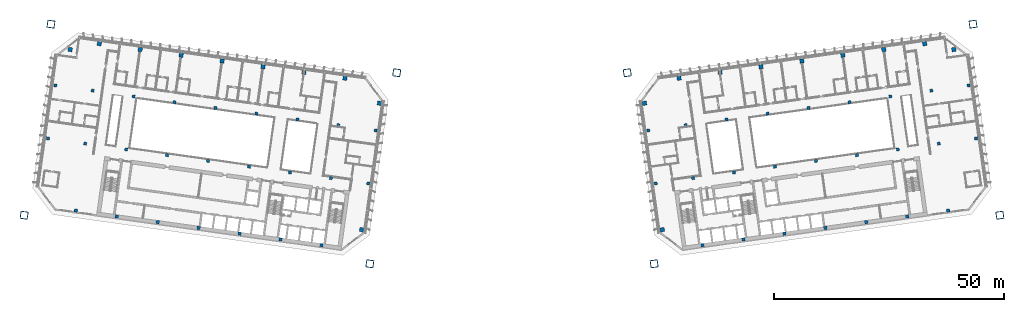
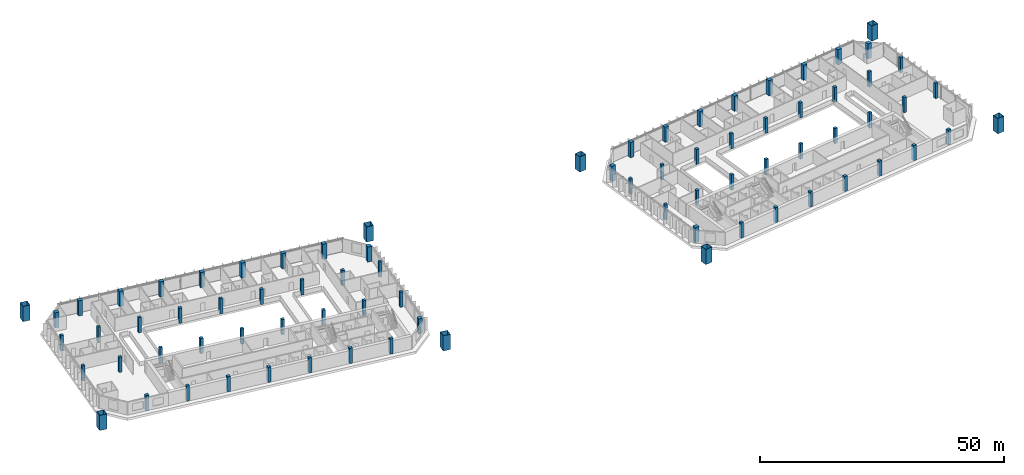
# One storey, part 1 of 24: 78 columns.
"""IFC4 building model written with IfcOpenShell, lengths in metres."""

import ifcopenshell
import ifcopenshell.guid

model = None  # the IFC model being written
_history = None  # IfcOwnerHistory: only IFC2X3 demands one
_inside = {}  # id of a spatial element -> (the spatial element, [elements in it])
_under = {}  # id of a project, library or spatial element -> (it, [spatial elements below it])
_declared = {}  # id of a project -> (the project, [libraries it declares])
_typed = {}  # id of a type object -> (the type object, [elements of that type])
_made_of = {}  # id of a material, layer set ... -> (it, [elements and type objects made of it])


def new_model(schema):
    """Start an empty IFC model of exactly this schema.

    Asked for "IFC4X3", IfcOpenShell would pick the latest addendum, in which some entities
    have other attributes; the version numbers below select the first issue.
    IFC2X3 requires an IfcOwnerHistory on every rooted entity: one is made here for all.
    """
    global model, _history
    if schema == "IFC4X3":
        model = ifcopenshell.file(schema_version=(4, 3, 0, 0))
    else:
        model = ifcopenshell.file(schema=schema)
    _inside.clear()
    _under.clear()
    _declared.clear()
    _typed.clear()
    _made_of.clear()
    _history = None
    if model.schema == "IFC2X3":
        org = make("IfcOrganization", Name="unknown")
        user = make(
            "IfcPersonAndOrganization",
            ThePerson=make("IfcPerson", FamilyName="unknown"),
            TheOrganization=org,
        )
        app = make(
            "IfcApplication",
            ApplicationDeveloper=org,
            Version="unknown",
            ApplicationFullName="unknown",
            ApplicationIdentifier="unknown",
        )
        _history = make(
            "IfcOwnerHistory",
            OwningUser=user,
            OwningApplication=app,
            ChangeAction="ADDED",
            CreationDate=0,
        )
    return model


def make(cls, **values):
    """One entity of the class cls with the attributes given. An attribute that is None is left unset."""
    return model.create_entity(
        cls, **{name: value for name, value in values.items() if value is not None}
    )


def rooted(cls, **values):
    """An entity with a GlobalId (a new one), such as an element, a storey or a relation."""
    return make(cls, GlobalId=ifcopenshell.guid.new(), OwnerHistory=_history, **values)


def si_unit(unit_type, name, prefix=None):
    """IfcSIUnit, for example si_unit("LENGTHUNIT", "METRE", prefix="MILLI")."""
    return make("IfcSIUnit", UnitType=unit_type, Prefix=prefix, Name=name)


def assignment(units):
    """IfcUnitAssignment: the units of a project."""
    return None if units is None else make("IfcUnitAssignment", Units=units)


def point(xyz):
    """IfcCartesianPoint."""
    return None if xyz is None else make("IfcCartesianPoint", Coordinates=xyz)


def direction(xyz):
    """IfcDirection."""
    return None if xyz is None else make("IfcDirection", DirectionRatios=xyz)


def frame(location, z_axis=None, x_axis=None):
    """IfcAxis2Placement3D, a coordinate frame: its origin and axes. An axis left out is left unset."""
    return make(
        "IfcAxis2Placement3D",
        Location=point(location),
        Axis=direction(z_axis),
        RefDirection=direction(x_axis),
    )


def frame_2d(location, x_axis=None):
    """IfcAxis2Placement2D, a coordinate frame in the plane: its origin and x axis."""
    return make(
        "IfcAxis2Placement2D", Location=point(location), RefDirection=direction(x_axis)
    )


def origin():
    """The frame at (0, 0, 0) with its axes left unset."""
    return frame((0.0, 0.0, 0.0))


def origin_2d():
    """The frame at (0, 0) in the plane with its x axis left unset."""
    return frame_2d((0.0, 0.0))


def place(relative_to, where):
    """IfcLocalPlacement: puts the frame where relative to a parent placement (None: the world)."""
    return make(
        "IfcLocalPlacement", PlacementRelTo=relative_to, RelativePlacement=where
    )


def context(
    kind, dimensions, precision=None, world=None, true_north=None, identifier=None
):
    """IfcGeometricRepresentationContext, for example the 3D "Model" context."""
    return make(
        "IfcGeometricRepresentationContext",
        ContextIdentifier=identifier,
        ContextType=kind,
        CoordinateSpaceDimension=dimensions,
        Precision=precision,
        WorldCoordinateSystem=world,
        TrueNorth=true_north,
    )


def subcontext(parent, identifier, kind, view, scale=None):
    """IfcGeometricRepresentationSubContext, for example "Body" below "Model"."""
    return make(
        "IfcGeometricRepresentationSubContext",
        ContextIdentifier=identifier,
        ContextType=kind,
        ParentContext=parent,
        TargetScale=scale,
        TargetView=view,
    )


def project(units=None, contexts=None):
    """IfcProject with its units and contexts."""
    return rooted(
        "IfcProject",
        Name="project",
        RepresentationContexts=contexts,
        UnitsInContext=assignment(units),
    )


def spatial(cls, under=None, at=None, **own):
    """A site, building, storey or space (cls), placed at a placement, below another one or the project."""
    s = rooted(cls, ObjectPlacement=at, **own)
    if under is not None:
        _under.setdefault(under.id(), (under, []))[1].append(s)
    return s


def profile(cls, at=None, kind="AREA", **sizes):
    """A parametric profile (cls). Its sizes go by their IFC names, for example OverallWidth=200.0."""
    return make(cls, ProfileType=kind, Position=at, **sizes)


def rectangle(**sizes):
    """IfcRectangleProfileDef."""
    return profile("IfcRectangleProfileDef", **sizes)


def hollow_rectangle(**sizes):
    """IfcRectangleHollowProfileDef."""
    return profile("IfcRectangleHollowProfileDef", **sizes)


def extrude(swept, where, along, depth):
    """IfcExtrudedAreaSolid: the profile swept, set in the frame where, extruded along a direction by depth."""
    return make(
        "IfcExtrudedAreaSolid",
        SweptArea=swept,
        Position=where,
        ExtrudedDirection=direction(along),
        Depth=depth,
    )


def shape(context_of_items, identifier, shape_type, items):
    """IfcShapeRepresentation: the items that make up one representation, for example the "Body"."""
    return make(
        "IfcShapeRepresentation",
        ContextOfItems=context_of_items,
        RepresentationIdentifier=identifier,
        RepresentationType=shape_type,
        Items=items,
    )


def material(Name=None, Category=None):
    """IfcMaterial."""
    return make("IfcMaterial", Name=Name, Category=Category)


def material_profile(
    of_material, cross_section, Name=None, Category=None, Priority=None
):
    """IfcMaterialProfile: a cross section and its material."""
    return make(
        "IfcMaterialProfile",
        Name=Name,
        Material=of_material,
        Profile=cross_section,
        Priority=Priority,
        Category=Category,
    )


def profile_set(profiles, Name=None, composite=None):
    """IfcMaterialProfileSet."""
    return make(
        "IfcMaterialProfileSet",
        Name=Name,
        MaterialProfiles=profiles,
        CompositeProfile=composite,
    )


def made_of(thing, what):
    """Note that an element or type object is made of a material, layer set ...; save() writes the relation."""
    if what is not None:
        _made_of.setdefault(what.id(), (what, []))[1].append(thing)
    return thing


def type_object(cls, material=None, **own):
    """A type object (cls), such as IfcWallType, which elements share."""
    return made_of(rooted(cls, **own), material)


def element(
    cls,
    number,
    at=None,
    inside=None,
    cuts=None,
    type_object=None,
    material=None,
    context=None,
    identifier="Body",
    shape_type=None,
    held_by="IfcProductDefinitionShape",
    body=None,
    shapes=None,
    **own,
):
    """One element of the class cls, such as IfcWall. Its Tag is "e" and its number.

    at: its placement. inside: the storey or other place that contains it. cuts: it is an
    opening in that element (IfcRelVoidsElement). A single representation is given by context,
    identifier, shape_type and body (its items); several are given by shapes. held_by: the class
    of the entity that holds the representations. save() writes the other relations.
    """
    e = rooted(cls, Tag="e%d" % number, ObjectPlacement=at, **own)
    if body is not None:
        shapes = [shape(context, identifier, shape_type, body)]
    if shapes is not None:
        e.Representation = make(held_by, Representations=shapes)
    if inside is not None:
        _inside.setdefault(inside.id(), (inside, []))[1].append(e)
    if cuts is not None:
        rooted(
            "IfcRelVoidsElement", RelatingBuildingElement=cuts, RelatedOpeningElement=e
        )
    if type_object is not None:
        _typed.setdefault(type_object.id(), (type_object, []))[1].append(e)
    return made_of(e, material)


def aggregate(whole, parts):
    """IfcRelAggregates: a whole, such as a stair, and the parts it consists of."""
    return rooted("IfcRelAggregates", RelatingObject=whole, RelatedObjects=parts)


def save(model, path):
    """Write the relations noted so far, then the file.

    IfcRelAggregates (storeys below a building ...), IfcRelContainedInSpatialStructure (elements
    in a storey), IfcRelDefinesByType, IfcRelAssociatesMaterial and IfcRelDeclares: one each for
    every whole, place, type object, material and project.
    """
    for whole, parts in _under.values():
        aggregate(whole, parts)
    for where, things in _inside.values():
        rooted(
            "IfcRelContainedInSpatialStructure",
            RelatedElements=things,
            RelatingStructure=where,
        )
    for kind, things in _typed.values():
        rooted("IfcRelDefinesByType", RelatedObjects=things, RelatingType=kind)
    for what, things in _made_of.values():
        rooted("IfcRelAssociatesMaterial", RelatedObjects=things, RelatingMaterial=what)
    for by, libraries in _declared.values():
        rooted("IfcRelDeclares", RelatingContext=by, RelatedDefinitions=libraries)
    model.write(path)


model = new_model("IFC4")

# Units and contexts
model_context = context("Model", 3, precision=1e-05, world=origin(), true_north=direction((0.0, 1.0)))
body_context = subcontext(model_context, "Body", "Model", "MODEL_VIEW")
ifc_project = project(units=[si_unit("LENGTHUNIT", "METRE"), si_unit("AREAUNIT", "SQUARE_METRE"), si_unit("VOLUMEUNIT", "CUBIC_METRE"), si_unit("PLANEANGLEUNIT", "RADIAN"), si_unit("MASSUNIT", "GRAM", prefix="KILO")], contexts=[model_context])

# Site, building, storey
site_placement = place(None, origin())
site = spatial("IfcSite", under=ifc_project, at=site_placement, CompositionType="ELEMENT")
building_placement = place(site_placement, origin())
building = spatial("IfcBuilding", under=site, at=building_placement, Name="Mirante Cascada Hotel Towers", CompositionType="ELEMENT")
storey_placement = place(building_placement, frame((0.0, 0.0, 132.9)))
storey = spatial("IfcBuildingStorey", under=building, at=storey_placement, Name="L30", CompositionType="ELEMENT", Elevation=132.9)

# Columns
ifc_material_1 = material(Name="Steel ASTM A572 Gr 50", Category="steel")
ifc_material_profile_1 = material_profile(ifc_material_1, hollow_rectangle(XDim=1.6, YDim=1.6, WallThickness=0.07, at=origin_2d()), Name="Box column 1600x1600x70 ASTM A572 Gr 50")
ifc_profile_set_1 = profile_set([ifc_material_profile_1], Name="Steel ASTM A572 Gr 50")
column_type_1 = type_object("IfcColumnType", Name="Box column 1600x1600x70 ASTM A572 Gr 50", PredefinedType="COLUMN", material=ifc_profile_set_1)
for number, where, z_axis, x_axis, name in (
    (1, (-25.0968, 18.5173, 0.0), (0.0, 0.0, 1.0), (-0.9902681, 0.1391731, 0.0), "Mega column MC1 T1 L30"),
    (2, (-30.9421, -23.074, 0.0), (0.0, 0.0, 1.0), (-0.9902681, 0.1391731, 0.0), "Mega column MC2 T1 L30"),
    (3, (-100.3572, 29.0944, 0.0), (0.0, 0.0, 1.0), (-0.9902681, 0.1391731, 0.0), "Mega column MC3 T1 L30"),
    (4, (-106.2025, -12.4968, 0.0), (0.0, 0.0, 1.0), (-0.9902681, 0.1391731, 0.0), "Mega column MC4 T1 L30"),
    (5, (25.0968, 18.5173, 0.0), (0.0, 0.0, 1.0), (0.9902681, 0.1391731, 0.0), "Mega column MC1 T2 L30"),
    (6, (30.9421, -23.074, 0.0), (0.0, 0.0, 1.0), (0.9902681, 0.1391731, 0.0), "Mega column MC2 T2 L30"),
    (7, (100.3572, 29.0944, 0.0), (0.0, 0.0, 1.0), (0.9902681, 0.1391731, 0.0), "Mega column MC3 T2 L30"),
    (8, (106.2025, -12.4968, 0.0), (0.0, 0.0, 1.0), (0.9902681, 0.1391731, 0.0), "Mega column MC4 T2 L30"),
):
    element("IfcColumn", number, at=place(storey_placement, frame(where, z_axis=z_axis, x_axis=x_axis)), inside=storey, type_object=column_type_1, Name=name, PredefinedType="COLUMN", context=body_context, shape_type="SweptSolid", body=[
        extrude(hollow_rectangle(XDim=1.6, YDim=1.6, WallThickness=0.07, at=origin_2d()), origin(), (0.0, 0.0, 1.0), 3.8),
    ])
ifc_material_2 = material(Name="Concrete C60/75", Category="concrete")
ifc_material_profile_2 = material_profile(ifc_material_2, rectangle(XDim=0.65, YDim=0.65, at=origin_2d()), Name="RC column 650x650 C60/75")
ifc_profile_set_2 = profile_set([ifc_material_profile_2], Name="Concrete C60/75")
column_type_2 = type_object("IfcColumnType", Name="RC column 650x650 C60/75", PredefinedType="COLUMN", material=ifc_profile_set_2)
for number, where, z_axis, x_axis, name in (
    (9, (-29.6893, 5.9592, 0.0), (0.0, 0.0, 1.0), (-0.9902681, 0.1391731, 0.0), "Column T1 L30 2"),
    (10, (-31.3106, -5.5774, 0.0), (0.0, 0.0, 1.0), (-0.9902681, 0.1391731, 0.0), "Column T1 L30 3"),
    (11, (-37.8095, 7.1004, 0.0), (0.0, 0.0, 1.0), (-0.9902681, 0.1391731, 0.0), "Column T1 L30 6"),
    (12, (-39.4308, -4.4362, 0.0), (0.0, 0.0, 1.0), (-0.9902681, 0.1391731, 0.0), "Column T1 L30 7"),
    (13, (-46.7219, 8.353, 0.0), (0.0, 0.0, 1.0), (-0.9902681, 0.1391731, 0.0), "Column T1 L30 10"),
    (14, (-48.3432, -3.1836, 0.0), (0.0, 0.0, 1.0), (-0.9902681, 0.1391731, 0.0), "Column T1 L30 11"),
    (15, (-55.6343, 9.6055, 0.0), (0.0, 0.0, 1.0), (-0.9902681, 0.1391731, 0.0), "Column T1 L30 14"),
    (16, (-57.2557, -1.9311, 0.0), (0.0, 0.0, 1.0), (-0.9902681, 0.1391731, 0.0), "Column T1 L30 15"),
    (17, (-64.5467, 10.8581, 0.0), (0.0, 0.0, 1.0), (-0.9902681, 0.1391731, 0.0), "Column T1 L30 18"),
    (18, (-66.1681, -0.6785, 0.0), (0.0, 0.0, 1.0), (-0.9902681, 0.1391731, 0.0), "Column T1 L30 19"),
    (19, (-73.4591, 12.1107, 0.0), (0.0, 0.0, 1.0), (-0.9902681, 0.1391731, 0.0), "Column T1 L30 22"),
    (20, (-75.0805, 0.574, 0.0), (0.0, 0.0, 1.0), (-0.9902681, 0.1391731, 0.0), "Column T1 L30 23"),
    (21, (-82.3715, 13.3632, 0.0), (0.0, 0.0, 1.0), (-0.9902681, 0.1391731, 0.0), "Column T1 L30 26"),
    (22, (-83.9929, 1.8266, 0.0), (0.0, 0.0, 1.0), (-0.9902681, 0.1391731, 0.0), "Column T1 L30 27"),
    (23, (-91.2839, 14.6158, 0.0), (0.0, 0.0, 1.0), (-0.9902681, 0.1391731, 0.0), "Column T1 L30 30"),
    (24, (-92.9053, 3.0792, 0.0), (0.0, 0.0, 1.0), (-0.9902681, 0.1391731, 0.0), "Column T1 L30 31"),
    (25, (-99.4041, 15.757, 0.0), (0.0, 0.0, 1.0), (-0.9902681, 0.1391731, 0.0), "Column T1 L30 34"),
    (26, (-101.0255, 4.2204, 0.0), (0.0, 0.0, 1.0), (-0.9902681, 0.1391731, 0.0), "Column T1 L30 35"),
    (27, (29.6893, 5.9592, 0.0), (0.0, 0.0, 1.0), (0.9902681, 0.1391731, 0.0), "Column T2 L30 2"),
    (28, (31.3106, -5.5774, 0.0), (0.0, 0.0, 1.0), (0.9902681, 0.1391731, 0.0), "Column T2 L30 3"),
    (29, (37.8095, 7.1004, 0.0), (0.0, 0.0, 1.0), (0.9902681, 0.1391731, 0.0), "Column T2 L30 6"),
    (30, (39.4308, -4.4362, 0.0), (0.0, 0.0, 1.0), (0.9902681, 0.1391731, 0.0), "Column T2 L30 7"),
    (31, (46.7219, 8.353, 0.0), (0.0, 0.0, 1.0), (0.9902681, 0.1391731, 0.0), "Column T2 L30 10"),
    (32, (48.3432, -3.1836, 0.0), (0.0, 0.0, 1.0), (0.9902681, 0.1391731, 0.0), "Column T2 L30 11"),
    (33, (55.6343, 9.6055, 0.0), (0.0, 0.0, 1.0), (0.9902681, 0.1391731, 0.0), "Column T2 L30 14"),
    (34, (57.2557, -1.9311, 0.0), (0.0, 0.0, 1.0), (0.9902681, 0.1391731, 0.0), "Column T2 L30 15"),
    (35, (64.5467, 10.8581, 0.0), (0.0, 0.0, 1.0), (0.9902681, 0.1391731, 0.0), "Column T2 L30 18"),
    (36, (66.1681, -0.6785, 0.0), (0.0, 0.0, 1.0), (0.9902681, 0.1391731, 0.0), "Column T2 L30 19"),
    (37, (73.4591, 12.1107, 0.0), (0.0, 0.0, 1.0), (0.9902681, 0.1391731, 0.0), "Column T2 L30 22"),
    (38, (75.0805, 0.574, 0.0), (0.0, 0.0, 1.0), (0.9902681, 0.1391731, 0.0), "Column T2 L30 23"),
    (39, (82.3715, 13.3632, 0.0), (0.0, 0.0, 1.0), (0.9902681, 0.1391731, 0.0), "Column T2 L30 26"),
    (40, (83.9929, 1.8266, 0.0), (0.0, 0.0, 1.0), (0.9902681, 0.1391731, 0.0), "Column T2 L30 27"),
    (41, (91.2839, 14.6158, 0.0), (0.0, 0.0, 1.0), (0.9902681, 0.1391731, 0.0), "Column T2 L30 30"),
    (42, (92.9053, 3.0792, 0.0), (0.0, 0.0, 1.0), (0.9902681, 0.1391731, 0.0), "Column T2 L30 31"),
    (43, (99.4041, 15.757, 0.0), (0.0, 0.0, 1.0), (0.9902681, 0.1391731, 0.0), "Column T2 L30 34"),
    (44, (101.0255, 4.2204, 0.0), (0.0, 0.0, 1.0), (0.9902681, 0.1391731, 0.0), "Column T2 L30 35"),
):
    element("IfcColumn", number, at=place(storey_placement, frame(where, z_axis=z_axis, x_axis=x_axis)), inside=storey, type_object=column_type_2, Name=name, PredefinedType="COLUMN", context=body_context, shape_type="SweptSolid", body=[
        extrude(rectangle(XDim=0.65, YDim=0.65, at=origin_2d()), origin(), (0.0, 0.0, 1.0), 3.8),
    ])
ifc_material_3 = material(Name="Concrete C60/75", Category="concrete")
ifc_material_profile_3 = material_profile(ifc_material_3, rectangle(XDim=0.7, YDim=0.7, at=origin_2d()), Name="RC column 700x700 C60/75")
ifc_profile_set_3 = profile_set([ifc_material_profile_3], Name="Concrete C60/75")
column_type_3 = type_object("IfcColumnType", Name="RC column 700x700 C60/75", PredefinedType="COLUMN", material=ifc_profile_set_3)
for number, where, z_axis, x_axis, name in (
    (45, (-41.4802, -19.0179, 0.0), (0.0, 0.0, 1.0), (-0.9902681, 0.1391731, 0.0), "Column T1 L30 8"),
    (46, (-50.3926, -17.7653, 0.0), (0.0, 0.0, 1.0), (-0.9902681, 0.1391731, 0.0), "Column T1 L30 12"),
    (47, (-59.305, -16.5128, 0.0), (0.0, 0.0, 1.0), (-0.9902681, 0.1391731, 0.0), "Column T1 L30 16"),
    (48, (-68.2174, -15.2602, 0.0), (0.0, 0.0, 1.0), (-0.9902681, 0.1391731, 0.0), "Column T1 L30 20"),
    (49, (-77.1298, -14.0077, 0.0), (0.0, 0.0, 1.0), (-0.9902681, 0.1391731, 0.0), "Column T1 L30 24"),
    (50, (-86.0422, -12.7551, 0.0), (0.0, 0.0, 1.0), (-0.9902681, 0.1391731, 0.0), "Column T1 L30 28"),
    (51, (-94.9546, -11.5025, 0.0), (0.0, 0.0, 1.0), (-0.9902681, 0.1391731, 0.0), "Column T1 L30 32"),
    (52, (41.4802, -19.0179, 0.0), (0.0, 0.0, 1.0), (0.9902681, 0.1391731, 0.0), "Column T2 L30 8"),
    (53, (50.3926, -17.7653, 0.0), (0.0, 0.0, 1.0), (0.9902681, 0.1391731, 0.0), "Column T2 L30 12"),
    (54, (59.305, -16.5128, 0.0), (0.0, 0.0, 1.0), (0.9902681, 0.1391731, 0.0), "Column T2 L30 16"),
    (55, (68.2174, -15.2602, 0.0), (0.0, 0.0, 1.0), (0.9902681, 0.1391731, 0.0), "Column T2 L30 20"),
    (56, (77.1298, -14.0077, 0.0), (0.0, 0.0, 1.0), (0.9902681, 0.1391731, 0.0), "Column T2 L30 24"),
    (57, (86.0422, -12.7551, 0.0), (0.0, 0.0, 1.0), (0.9902681, 0.1391731, 0.0), "Column T2 L30 28"),
    (58, (94.9546, -11.5025, 0.0), (0.0, 0.0, 1.0), (0.9902681, 0.1391731, 0.0), "Column T2 L30 32"),
):
    element("IfcColumn", number, at=place(storey_placement, frame(where, z_axis=z_axis, x_axis=x_axis)), inside=storey, type_object=column_type_3, Name=name, PredefinedType="COLUMN", context=body_context, shape_type="SweptSolid", body=[
        extrude(rectangle(XDim=0.7, YDim=0.7, at=origin_2d()), origin(), (0.0, 0.0, 1.0), 3.8),
    ])
ifc_material_4 = material(Name="Concrete C60/75", Category="concrete")
ifc_material_profile_4 = material_profile(ifc_material_4, rectangle(XDim=0.9, YDim=0.9, at=origin_2d()), Name="RC column 900x900 C60/75")
ifc_profile_set_4 = profile_set([ifc_material_profile_4], Name="Concrete C60/75")
column_type_4 = type_object("IfcColumnType", Name="RC column 900x900 C60/75", PredefinedType="COLUMN", material=ifc_profile_set_4)
for number, where, z_axis, x_axis, name in (
    (59, (-28.8577, 11.8761, 0.0), (0.0, 0.0, 1.0), (-0.9902681, 0.1391731, 0.0), "Column T1 L30 1"),
    (60, (-32.7267, -15.6534, 0.0), (0.0, 0.0, 1.0), (-0.9902681, 0.1391731, 0.0), "Column T1 L30 4"),
    (61, (-36.3725, 17.325, 0.0), (0.0, 0.0, 1.0), (-0.9902681, 0.1391731, 0.0), "Column T1 L30 5"),
    (62, (-45.2849, 18.5775, 0.0), (0.0, 0.0, 1.0), (-0.9902681, 0.1391731, 0.0), "Column T1 L30 9"),
    (63, (-54.1973, 19.8301, 0.0), (0.0, 0.0, 1.0), (-0.9902681, 0.1391731, 0.0), "Column T1 L30 13"),
    (64, (-63.1097, 21.0826, 0.0), (0.0, 0.0, 1.0), (-0.9902681, 0.1391731, 0.0), "Column T1 L30 17"),
    (65, (-72.0222, 22.3352, 0.0), (0.0, 0.0, 1.0), (-0.9902681, 0.1391731, 0.0), "Column T1 L30 21"),
    (66, (-80.9346, 23.5877, 0.0), (0.0, 0.0, 1.0), (-0.9902681, 0.1391731, 0.0), "Column T1 L30 25"),
    (67, (-89.847, 24.8403, 0.0), (0.0, 0.0, 1.0), (-0.9902681, 0.1391731, 0.0), "Column T1 L30 29"),
    (68, (-96.1868, 23.5602, 0.0), (0.0, 0.0, 1.0), (-0.9902681, 0.1391731, 0.0), "Column T1 L30 33"),
    (69, (28.8577, 11.8761, 0.0), (0.0, 0.0, 1.0), (0.9902681, 0.1391731, 0.0), "Column T2 L30 1"),
    (70, (32.7267, -15.6534, 0.0), (0.0, 0.0, 1.0), (0.9902681, 0.1391731, 0.0), "Column T2 L30 4"),
    (71, (36.3725, 17.325, 0.0), (0.0, 0.0, 1.0), (0.9902681, 0.1391731, 0.0), "Column T2 L30 5"),
    (72, (45.2849, 18.5775, 0.0), (0.0, 0.0, 1.0), (0.9902681, 0.1391731, 0.0), "Column T2 L30 9"),
    (73, (54.1973, 19.8301, 0.0), (0.0, 0.0, 1.0), (0.9902681, 0.1391731, 0.0), "Column T2 L30 13"),
    (74, (63.1097, 21.0826, 0.0), (0.0, 0.0, 1.0), (0.9902681, 0.1391731, 0.0), "Column T2 L30 17"),
    (75, (72.0222, 22.3352, 0.0), (0.0, 0.0, 1.0), (0.9902681, 0.1391731, 0.0), "Column T2 L30 21"),
    (76, (80.9346, 23.5877, 0.0), (0.0, 0.0, 1.0), (0.9902681, 0.1391731, 0.0), "Column T2 L30 25"),
    (77, (89.847, 24.8403, 0.0), (0.0, 0.0, 1.0), (0.9902681, 0.1391731, 0.0), "Column T2 L30 29"),
    (78, (96.1868, 23.5602, 0.0), (0.0, 0.0, 1.0), (0.9902681, 0.1391731, 0.0), "Column T2 L30 33"),
):
    element("IfcColumn", number, at=place(storey_placement, frame(where, z_axis=z_axis, x_axis=x_axis)), inside=storey, type_object=column_type_4, Name=name, PredefinedType="COLUMN", context=body_context, shape_type="SweptSolid", body=[
        extrude(rectangle(XDim=0.9, YDim=0.9, at=origin_2d()), origin(), (0.0, 0.0, 1.0), 3.8),
    ])

save(model, "model.ifc")
